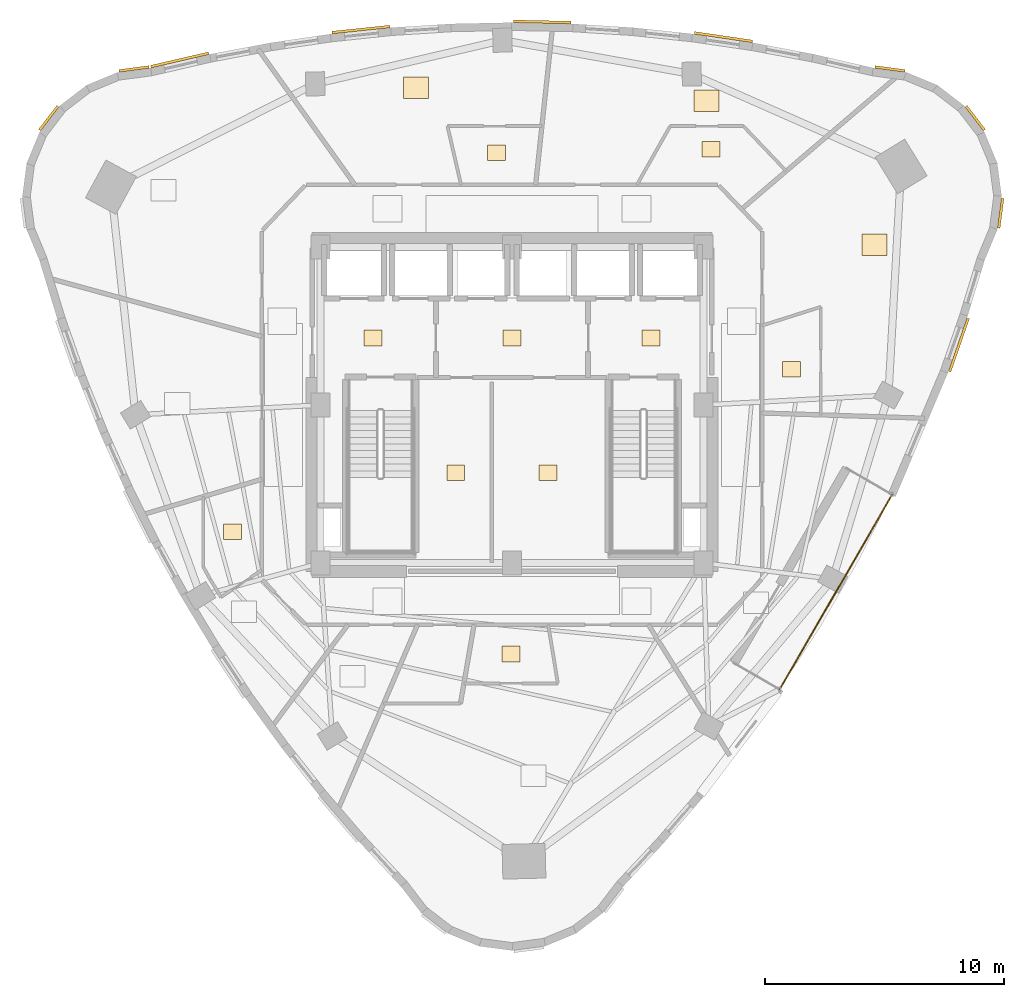
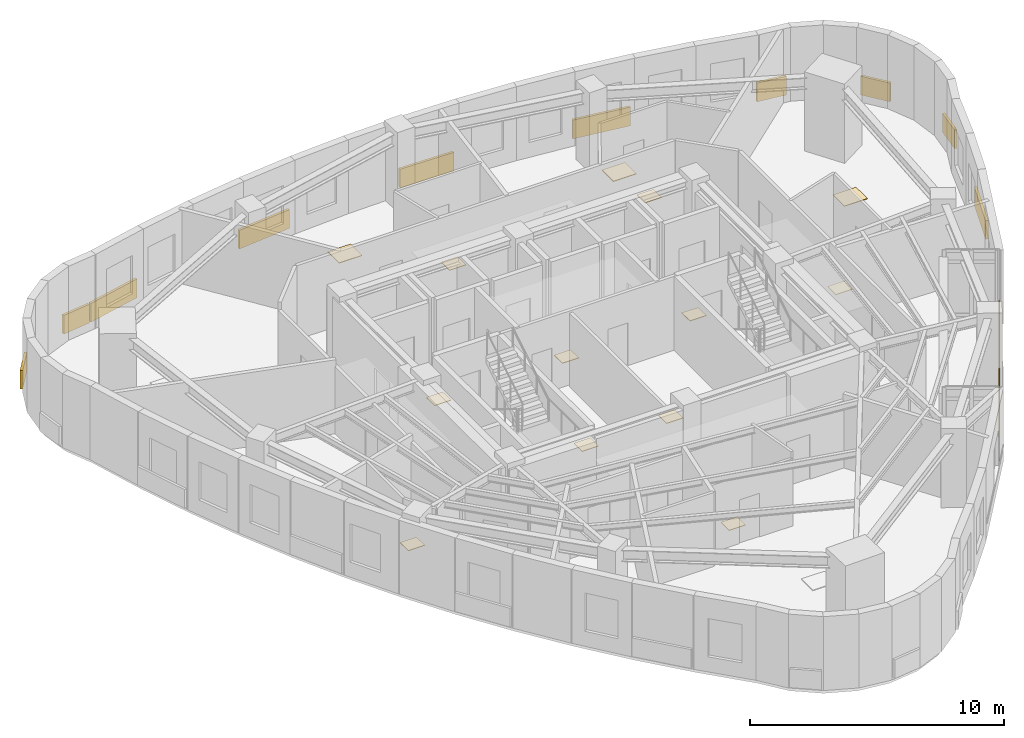
# One storey, part 12 of 12: 23 coverings, 1 railing.
"""IFC4 building model written with IfcOpenShell, lengths in metres."""

from ifc_helpers import new_model, si_unit, direction, frame, origin, origin_2d, place, context, subcontext, project, spatial, rectangle, circle, extrude, material, layer, layer_set, type_object, element, save


model = new_model("IFC4")

# Units and contexts
model_context = context("Model", 3, precision=1e-05, world=origin(), true_north=direction((0.0, 1.0)))
body_context = subcontext(model_context, "Body", "Model", "MODEL_VIEW")
ifc_project = project(units=[si_unit("LENGTHUNIT", "METRE"), si_unit("AREAUNIT", "SQUARE_METRE"), si_unit("VOLUMEUNIT", "CUBIC_METRE"), si_unit("PLANEANGLEUNIT", "RADIAN"), si_unit("MASSUNIT", "GRAM", prefix="KILO")], contexts=[model_context])

# Site, building, storey
site_placement = place(None, origin())
site = spatial("IfcSite", under=ifc_project, at=site_placement, CompositionType="ELEMENT")
building_placement = place(site_placement, origin())
building = spatial("IfcBuilding", under=site, at=building_placement, Name="Ndelora Gate Hotel", CompositionType="ELEMENT")
storey_placement = place(building_placement, frame((0.0, 0.0, 209.35009765625)))
storey = spatial("IfcBuildingStorey", under=building, at=storey_placement, Name="L52", CompositionType="ELEMENT", Elevation=209.35009765625)

# Coverings
ifc_material_1 = material(Name="Terracotta Fired Clay Brick Slip Cladding", Category="masonry")
ifc_layer_1 = layer(ifc_material_1, 0.110107421875)
ifc_layer_set_1 = layer_set([ifc_layer_1], Name="Terracotta Fired Clay Brick Slip Cladding")
covering_type_1 = type_object("IfcCoveringType", Name="COV-CLAD-BRK", PredefinedType="CLADDING", material=ifc_layer_set_1)
for number, where, z_axis, x_axis, name in (
    (1, (-15.794677734375, 14.0419921875, 0.099853515625), (0.0, 0.0, 1.0), (0.991444861374, 0.13052619222, 0.0), "L52 Rounded-Corner Brick Cladding Band 1"),
    (2, (-19.356689453125, 11.985595703125, 0.099853515625), (0.0, 0.0, 1.0), (0.608761429009, 0.793353340291, 0.0), "L52 Rounded-Corner Brick Cladding Band 4"),
):
    element("IfcCovering", number, at=place(storey_placement, frame(where, z_axis=z_axis, x_axis=x_axis)), inside=storey, type_object=covering_type_1, Name=name, PredefinedType="CLADDING", context=body_context, shape_type="SweptSolid", body=[
        extrude(rectangle(XDim=1.258056640625, YDim=0.110107421875, at=origin_2d()), origin(), (0.0, 0.0, 1.0), 0.89990234375),
    ])
covering_1_placement = place(storey_placement, frame((18.67626953125, 2.51025390625, 0.099853515625), z_axis=(0.0, 0.0, 1.0), x_axis=(0.32837212737, 0.94454843495, 0.0)))
element("IfcCovering", 3, at=covering_1_placement, inside=storey, type_object=covering_type_1, Name="L52 Rounded-Corner Brick Cladding Band 37", PredefinedType="CLADDING", context=body_context, shape_type="SweptSolid", body=[
    extrude(rectangle(XDim=2.35888671875, YDim=0.110107421875, at=origin_2d()), origin(), (0.0, 0.0, 1.0), 0.89990234375),
])
covering_2_placement = place(storey_placement, frame((20.42138671875, 8.0126953125, 0.099853515625), z_axis=(0.0, 0.0, 1.0), x_axis=(0.13052619222, 0.991444861374, 0.0)))
element("IfcCovering", 4, at=covering_2_placement, inside=storey, type_object=covering_type_1, Name="L52 Rounded-Corner Brick Cladding Band 40", PredefinedType="CLADDING", context=body_context, shape_type="SweptSolid", body=[
    extrude(rectangle(XDim=1.257080078125, YDim=0.110107421875, at=origin_2d()), origin(), (0.0, 0.0, 1.0), 0.89990234375),
])
for number, where, z_axis, x_axis, name in (
    (5, (19.356689453125, 11.985595703125, 0.099853515625), (0.0, 0.0, 1.0), (-0.608761429009, 0.793353340291, 0.0), "L52 Rounded-Corner Brick Cladding Band 43"),
    (6, (15.794677734375, 14.0419921875, 0.099853515625), (0.0, 0.0, 1.0), (-0.991444861374, 0.13052619222, 0.0), "L52 Rounded-Corner Brick Cladding Band 46"),
):
    element("IfcCovering", number, at=place(storey_placement, frame(where, z_axis=z_axis, x_axis=x_axis)), inside=storey, type_object=covering_type_1, Name=name, PredefinedType="CLADDING", context=body_context, shape_type="SweptSolid", body=[
        extrude(rectangle(XDim=1.258056640625, YDim=0.110107421875, at=origin_2d()), origin(), (0.0, 0.0, 1.0), 0.89990234375),
    ])
covering_3_placement = place(storey_placement, frame((8.836181640625, 15.37060546875, 0.099853515625), z_axis=(0.0, 0.0, 1.0), x_axis=(-0.989399437751, 0.145219670077, 0.0)))
element("IfcCovering", 7, at=covering_3_placement, inside=storey, type_object=covering_type_1, Name="L52 Rounded-Corner Brick Cladding Band 49", PredefinedType="CLADDING", context=body_context, shape_type="SweptSolid", body=[
    extrude(rectangle(XDim=2.44189453125, YDim=0.110107421875, at=origin_2d()), origin(), (0.0, 0.0, 1.0), 0.89990234375),
])
covering_4_placement = place(storey_placement, frame((1.262451171875, 16.006103515625, 0.099853515625), z_axis=(0.0, 0.0, 1.0), x_axis=(-0.999780683475, 0.020942419883, 0.0)))
element("IfcCovering", 8, at=covering_4_placement, inside=storey, type_object=covering_type_1, Name="L52 Rounded-Corner Brick Cladding Band 52", PredefinedType="CLADDING", context=body_context, shape_type="SweptSolid", body=[
    extrude(rectangle(XDim=2.416015625, YDim=0.110107421875, at=origin_2d()), origin(), (0.0, 0.0, 1.0), 0.89990234375),
])
covering_5_placement = place(storey_placement, frame((-6.311767578125, 15.688232421875, 0.099853515625), z_axis=(0.0, 0.0, 1.0), x_axis=(0.994540123879, 0.104354884861, 0.0)))
element("IfcCovering", 9, at=covering_5_placement, inside=storey, type_object=covering_type_1, Name="L52 Rounded-Corner Brick Cladding Band 55", PredefinedType="CLADDING", context=body_context, shape_type="SweptSolid", body=[
    extrude(rectangle(XDim=2.428955078125, YDim=0.110107421875, at=origin_2d()), origin(), (0.0, 0.0, 1.0), 0.89990234375),
])
covering_6_placement = place(storey_placement, frame((-13.884521484375, 14.417236328125, 0.099853515625), z_axis=(0.0, 0.0, 1.0), x_axis=(0.974370064785, 0.224951054344, 0.0)))
element("IfcCovering", 10, at=covering_6_placement, inside=storey, type_object=covering_type_1, Name="L52 Rounded-Corner Brick Cladding Band 58", PredefinedType="CLADDING", context=body_context, shape_type="SweptSolid", body=[
    extrude(rectangle(XDim=2.48193359375, YDim=0.110107421875, at=origin_2d()), origin(), (0.0, 0.0, 1.0), 0.89990234375),
])
ifc_material_2 = material(Name="Engineered Highland Oak Parquet", Category="wood")
ifc_layer_2 = layer(ifc_material_2, 0.030029296875)
ifc_layer_set_2 = layer_set([ifc_layer_2], Name="Engineered Highland Oak Parquet")
covering_type_2 = type_object("IfcCoveringType", Name="COV-FLR-PARQ", PredefinedType="FLOORING", material=ifc_layer_set_2)
for number, where, z_axis, x_axis, name in (
    (11, (15.14404296875, 6.70458984375, 0.0), (0.0, 0.0, 1.0), (1.0, 0.0, 0.0), "L52 Panoramic King Suite 5502 Oak Parquet Flooring"),
    (12, (8.126953125, 12.718994140625, 0.0), (0.0, 0.0, 1.0), (1.0, 0.0, 0.0), "L52 Royal Ambassador Suite 5503 Oak Parquet Flooring"),
    (13, (-4.016845703125, 13.264892578125, 0.0), (0.0, 0.0, 1.0), (1.0, 0.0, 0.0), "L52 Panoramic Twin Suite 5504 Oak Parquet Flooring"),
):
    element("IfcCovering", number, at=place(storey_placement, frame(where, z_axis=z_axis, x_axis=x_axis)), inside=storey, type_object=covering_type_2, Name=name, PredefinedType="FLOORING", context=body_context, shape_type="SweptSolid", body=[
        extrude(rectangle(XDim=1.050048828125, YDim=0.89990234375, at=origin_2d()), origin(), (0.0, 0.0, 1.0), 0.030029296875),
    ])
ifc_material_3 = material(Name="Non-Slip Porcelain Wet-Room Tile", Category="ceramic")
ifc_layer_3 = layer(ifc_material_3, 0.02490234375)
ifc_layer_set_3 = layer_set([ifc_layer_3], Name="Non-Slip Porcelain Wet-Room Tile")
covering_type_3 = type_object("IfcCoveringType", Name="COV-FLR-TILE", PredefinedType="FLOORING", material=ifc_layer_set_3)
for number, where, z_axis, x_axis, name in (
    (14, (-5.800048828125, 2.800048828125, 0.0), (0.0, 0.0, 1.0), (1.0, 0.0, 0.0), "L52 Firefighting Lift Lobby West Porcelain Tile Flooring"),
    (15, (5.800048828125, 2.800048828125, 0.0), (0.0, 0.0, 1.0), (1.0, 0.0, 0.0), "L52 Firefighting Lift Lobby East Porcelain Tile Flooring"),
    (16, (0.0, 2.800048828125, 0.0), (0.0, 0.0, 1.0), (1.0, 0.0, 0.0), "L52 Central Passenger Lift Lobby Porcelain Tile Flooring"),
    (17, (-2.35009765625, -2.824951171875, 0.0), (0.0, 0.0, 1.0), (1.0, 0.0, 0.0), "L52 Core Electrical Switchroom Porcelain Tile Flooring"),
    (18, (1.5, -2.824951171875, 0.0), (0.0, 0.0, 1.0), (1.0, 0.0, 0.0), "L52 Central Linen Equipment Store Porcelain Tile Flooring"),
    (19, (-0.041015625, -10.405029296875, 0.0), (0.0, 0.0, 1.0), (1.0, 0.0, 0.0), "L52 En-suite Bathroom 5501 Porcelain Tile Flooring"),
    (20, (11.675048828125, 1.496826171875, 0.0), (0.0, 0.0, 1.0), (1.0, 0.0, 0.0), "L52 En-suite Bathroom 5502 Porcelain Tile Flooring"),
    (21, (8.319091796875, 10.693359375, 0.0), (0.0, 0.0, 1.0), (1.0, 0.0, 0.0), "L52 En-suite Bathroom 5503 Porcelain Tile Flooring"),
    (22, (-0.65380859375, 10.538818359375, 0.0), (0.0, 0.0, 1.0), (1.0, 0.0, 0.0), "L52 En-suite Bathroom 5504 Porcelain Tile Flooring"),
    (23, (-11.675048828125, -5.3037109375, 0.0), (0.0, 0.0, 1.0), (1.0, 0.0, 0.0), "L52 En-suite Bathroom 5505 Porcelain Tile Flooring"),
):
    element("IfcCovering", number, at=place(storey_placement, frame(where, z_axis=z_axis, x_axis=x_axis)), inside=storey, type_object=covering_type_3, Name=name, PredefinedType="FLOORING", context=body_context, shape_type="SweptSolid", body=[
        extrude(rectangle(XDim=0.75, YDim=0.64990234375, at=origin_2d()), origin(), (0.0, 0.0, 1.0), 0.02490234375),
    ])

# Railing
ifc_material_4 = material(Name="Laminated Safety Glass and Bronze Top Rail", Category="glass")
ifc_layer_4 = layer(ifc_material_4, 0.070068359375)
ifc_layer_set_4 = layer_set([ifc_layer_4], Name="Laminated Safety Glass and Bronze Top Rail")
railing_type = type_object("IfcRailingType", Name="RL-BAL-1150", PredefinedType="BALUSTRADE", material=ifc_layer_set_4)
railing_placement = place(storey_placement, frame((11.185791015625, -11.88525390625, 0.0)))
element("IfcRailing", 24, at=railing_placement, inside=storey, type_object=railing_type, Name="L52 Sky-Garden Loggia Terrace Balustrade", PredefinedType="BALUSTRADE", context=body_context, shape_type="SweptSolid", body=[
    extrude(circle(Radius=0.02392578125, at=origin_2d()), frame((0.0, 0.0, 1.1357421875), z_axis=(0.500016218704, 0.866016039709, 0.0), x_axis=(-0.866016039709, 0.500016218704, 0.0)), (0.0, 0.0, 1.0), 9.400146484375),
    extrude(circle(Radius=0.02099609375, at=origin_2d()), origin(), (0.0, 0.0, 1.0), 1.11181640625),
    extrude(circle(Radius=0.02099609375, at=origin_2d()), frame((0.58740234375, 1.017578125, 0.0)), (0.0, 0.0, 1.0), 1.11181640625),
    extrude(circle(Radius=0.02099609375, at=origin_2d()), frame((1.175048828125, 2.03515625, 0.0)), (0.0, 0.0, 1.0), 1.11181640625),
    extrude(circle(Radius=0.02099609375, at=origin_2d()), frame((1.7626953125, 3.052734375, 0.0)), (0.0, 0.0, 1.0), 1.11181640625),
    extrude(circle(Radius=0.02099609375, at=origin_2d()), frame((2.35009765625, 4.0703125, 0.0)), (0.0, 0.0, 1.0), 1.11181640625),
    extrude(circle(Radius=0.02099609375, at=origin_2d()), frame((2.9375, 5.087890625, 0.0)), (0.0, 0.0, 1.0), 1.11181640625),
    extrude(circle(Radius=0.02099609375, at=origin_2d()), frame((3.525146484375, 6.10546875, 0.0)), (0.0, 0.0, 1.0), 1.11181640625),
    extrude(circle(Radius=0.02099609375, at=origin_2d()), frame((4.11279296875, 7.123046875, 0.0)), (0.0, 0.0, 1.0), 1.11181640625),
    extrude(circle(Radius=0.02099609375, at=origin_2d()), frame((4.7001953125, 8.140625, 0.0)), (0.0, 0.0, 1.0), 1.11181640625),
])

save(model, "model.ifc")
